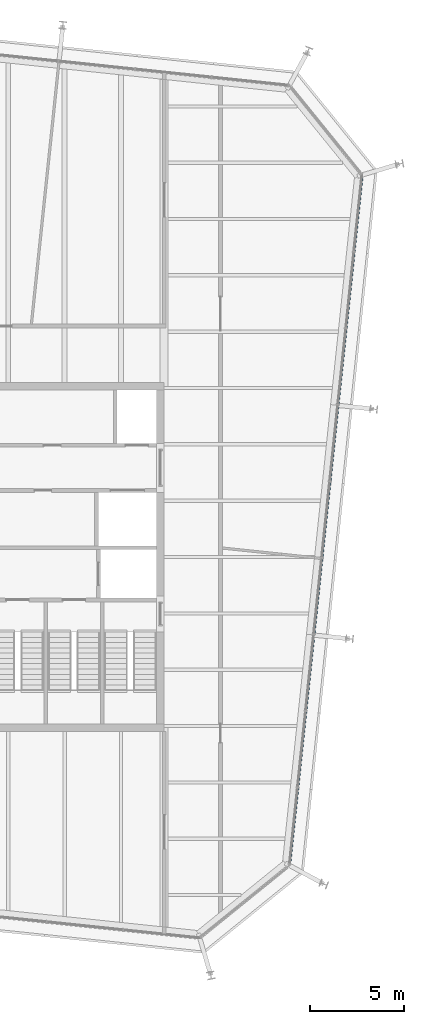
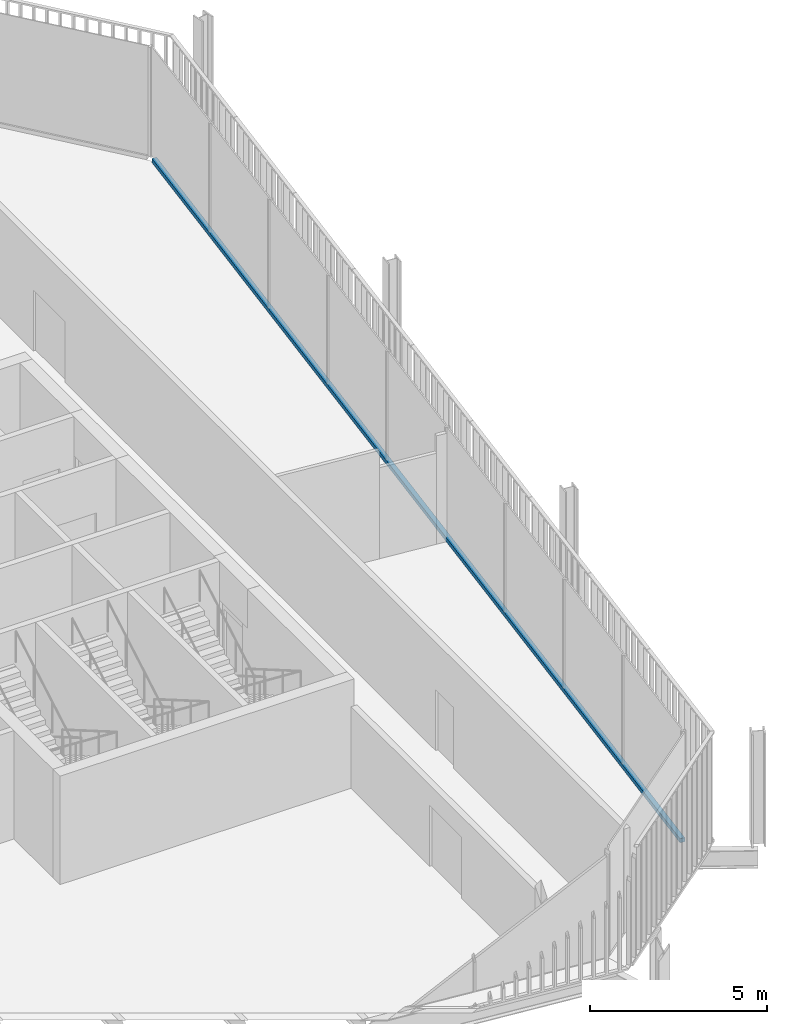
# One storey, part 10 of 20: 1 member, 1 element without a shape of its own.
"""IFC4 building model written with IfcOpenShell, lengths in metres."""

from ifc_helpers import new_model, si_unit, direction, frame, origin, origin_2d, place, context, subcontext, project, spatial, rectangle, extrude, material, layer, layer_set, material_profile, profile_set, type_object, element, aggregate, save


model = new_model("IFC4")

# Units and contexts
model_context = context("Model", 3, precision=1e-05, world=origin(), true_north=direction((0.0, 1.0)))
body_context = subcontext(model_context, "Body", "Model", "MODEL_VIEW")
ifc_project = project(units=[si_unit("LENGTHUNIT", "METRE"), si_unit("AREAUNIT", "SQUARE_METRE"), si_unit("VOLUMEUNIT", "CUBIC_METRE"), si_unit("PLANEANGLEUNIT", "RADIAN"), si_unit("MASSUNIT", "GRAM", prefix="KILO")], contexts=[model_context])

# Site, building, storey
site_placement = place(None, origin())
site = spatial("IfcSite", under=ifc_project, at=site_placement, CompositionType="ELEMENT")
building_placement = place(site_placement, origin())
building = spatial("IfcBuilding", under=site, at=building_placement, Name="Millrace Tower", CompositionType="ELEMENT")
storey_placement = place(building_placement, frame((0.0, 0.0, 279.89990234375)))
storey = spatial("IfcBuildingStorey", under=building, at=storey_placement, Name="L64", CompositionType="ELEMENT", Elevation=279.89990234375)

# Curtain wall, member
ifc_material_1 = material(Name="Aluminium and glass", Category="aluminium")
ifc_layer = layer(ifc_material_1, 0.14990234375)
ifc_layer_set = layer_set([ifc_layer], Name="Aluminium and glass")
curtain_wall_type = type_object("IfcCurtainWallType", Name="CW-1 office vision curtain wall", PredefinedType="NOTDEFINED", material=ifc_layer_set)
curtain_wall_placement = place(storey_placement, origin())
curtain_wall = element("IfcCurtainWall", 1, at=curtain_wall_placement, inside=storey, type_object=curtain_wall_type, Name="Curtain wall E-F04 L64", PredefinedType="NOTDEFINED")
ifc_material_2 = material(Name="Aluminium", Category="aluminium")
ifc_material_profile = material_profile(ifc_material_2, rectangle(XDim=0.14990234375, YDim=0.139892578125, at=origin_2d()))
ifc_profile_set = profile_set([ifc_material_profile], Name="Aluminium")
member_type = type_object("IfcMemberType", Name="CW-1 office vision curtain wall transom", PredefinedType="USERDEFINED", material=ifc_profile_set)
member_placement = place(storey_placement, frame((20.98193359375, -16.285400390625, 0.070068359375), z_axis=(0.104527916025, 0.994521952886, 0.0), x_axis=(-0.994521952886, 0.104527916025, 0.0)))
member = element("IfcMember", 2, at=member_placement, type_object=member_type, Name="CW1 transom E-F04.1", ObjectType="TRANSOM", PredefinedType="USERDEFINED", context=body_context, shape_type="SweptSolid", body=[
    extrude(rectangle(XDim=0.14990234375, YDim=0.139892578125, at=origin_2d()), origin(), (0.0, 0.0, 1.0), 36.699951171875),
])
aggregate(curtain_wall, [member])

save(model, "model.ifc")
